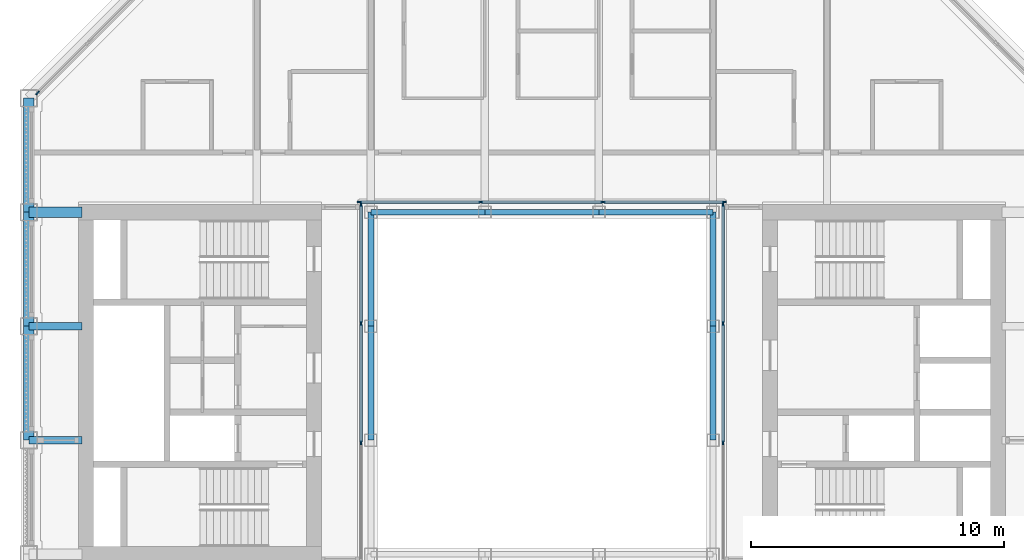
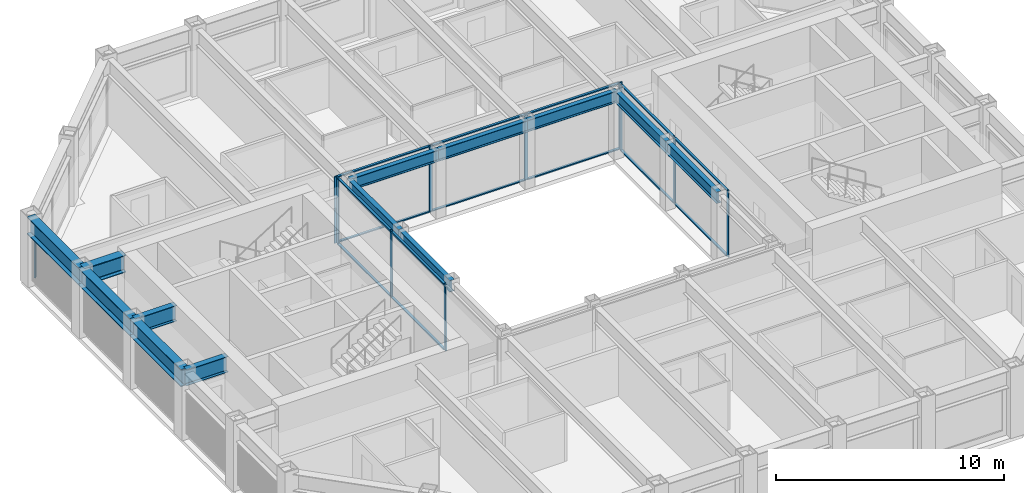
# One storey, part 4 of 17: 25 members, 13 beams, 4 elements without a shape of their own.
"""IFC4 building model written with IfcOpenShell, lengths in metres."""

from ifc_helpers import new_model, si_unit, direction, frame, origin, origin_2d, place, context, subcontext, project, spatial, rectangle, i_section, extrude, material, material_profile, profile_set, type_object, element, aggregate, save


model = new_model("IFC4")

# Units and contexts
model_context = context("Model", 3, precision=1e-05, world=origin(), true_north=direction((0.0, 1.0)))
body_context = subcontext(model_context, "Body", "Model", "MODEL_VIEW")
ifc_project = project(units=[si_unit("LENGTHUNIT", "METRE"), si_unit("AREAUNIT", "SQUARE_METRE"), si_unit("VOLUMEUNIT", "CUBIC_METRE"), si_unit("PLANEANGLEUNIT", "RADIAN"), si_unit("MASSUNIT", "GRAM", prefix="KILO")], contexts=[model_context])

# Site, building, storey
site_placement = place(None, origin())
site = spatial("IfcSite", under=ifc_project, at=site_placement, CompositionType="ELEMENT")
building_placement = place(site_placement, origin())
building = spatial("IfcBuilding", under=site, at=building_placement, Name="Msasa Ring Tower", CompositionType="ELEMENT")
storey_placement = place(building_placement, frame((0.0, 0.0, 242.050048828125)))
storey = spatial("IfcBuildingStorey", under=building, at=storey_placement, Name="L63", CompositionType="ELEMENT", Elevation=242.050048828125)

# Curtain wall, member
ifc_material_1 = material(Name="Aluminium curtain wall with clear glass", Category="aluminium")
curtain_wall_type_1 = type_object("IfcCurtainWallType", Name="CW-C CHAMFER CORNER CURTAIN WALL", PredefinedType="NOTDEFINED", material=ifc_material_1)
curtain_wall_1_placement = place(storey_placement, origin())
curtain_wall_1 = element("IfcCurtainWall", 1, at=curtain_wall_1_placement, inside=storey, type_object=curtain_wall_type_1, Name="Chamfer corner curtain wall NW L63", PredefinedType="NOTDEFINED")
ifc_material_2 = material(Name="Aluminium mullion", Category="aluminium")
ifc_material_profile_1 = material_profile(ifc_material_2, rectangle(XDim=0.06494140625, YDim=0.179931640625, at=origin_2d()), Name="AL 65x180")
ifc_profile_set_1 = profile_set([ifc_material_profile_1], Name="Aluminium mullion")
member_type_1 = type_object("IfcMemberType", Name="CW-C MULLION 65x180", PredefinedType="MULLION", material=ifc_profile_set_1)
member_1_placement = place(storey_placement, frame((-19.9052734375, 11.453369140625, 0.0), z_axis=(0.0, 0.0, 1.0), x_axis=(0.707106781187, -0.707106781187, 0.0)))
member_1 = element("IfcMember", 2, at=member_1_placement, type_object=member_type_1, Name="CW-C mullion 3", PredefinedType="MULLION", context=body_context, shape_type="SweptSolid", body=[
    extrude(rectangle(XDim=0.06494140625, YDim=0.179931640625, at=origin_2d()), origin(), (0.0, 0.0, 1.0), 2.62890625),
])
aggregate(curtain_wall_1, [member_1])

# Curtain wall, members
ifc_material_3 = material(Name="Aluminium curtain wall with clear glass", Category="aluminium")
curtain_wall_type_2 = type_object("IfcCurtainWallType", Name="CW-W LIGHT WELL CURTAIN WALL", PredefinedType="NOTDEFINED", material=ifc_material_3)
curtain_wall_2_placement = place(storey_placement, origin())
curtain_wall_2 = element("IfcCurtainWall", 3, at=curtain_wall_2_placement, inside=storey, type_object=curtain_wall_type_2, Name="Light well curtain wall N L63", PredefinedType="NOTDEFINED")
ifc_material_4 = material(Name="Aluminium mullion", Category="aluminium")
ifc_material_profile_2 = material_profile(ifc_material_4, rectangle(XDim=0.06005859375, YDim=0.159912109375, at=origin_2d()), Name="AL 60x160")
ifc_profile_set_2 = profile_set([ifc_material_profile_2], Name="Aluminium mullion")
member_type_2 = type_object("IfcMemberType", Name="CW-W MULLION 60x160", PredefinedType="MULLION", material=ifc_profile_set_2)
member_2_placement = place(storey_placement, frame((-7.199951171875, 7.14990234375, 0.0), z_axis=(0.0, 0.0, 1.0), x_axis=(0.0, 1.0, 0.0)))
member_2 = element("IfcMember", 4, at=member_2_placement, type_object=member_type_2, Name="CW-W mullion 1", PredefinedType="MULLION", context=body_context, shape_type="SweptSolid", body=[
    extrude(rectangle(XDim=0.06005859375, YDim=0.159912109375, at=origin_2d()), origin(), (0.0, 0.0, 1.0), 3.550048828125),
])
member_3_placement = place(storey_placement, frame((-2.409912109375, 7.14990234375, 0.0), z_axis=(0.0, 0.0, 1.0), x_axis=(0.0, 1.0, 0.0)))
member_3 = element("IfcMember", 5, at=member_3_placement, type_object=member_type_2, Name="CW-W mullion 2", PredefinedType="MULLION", context=body_context, shape_type="SweptSolid", body=[
    extrude(rectangle(XDim=0.06005859375, YDim=0.159912109375, at=origin_2d()), origin(), (0.0, 0.0, 1.0), 3.550048828125),
])
member_4_placement = place(storey_placement, frame((2.409912109375, 7.14990234375, 0.0), z_axis=(0.0, 0.0, 1.0), x_axis=(0.0, 1.0, 0.0)))
member_4 = element("IfcMember", 6, at=member_4_placement, type_object=member_type_2, Name="CW-W mullion 3", PredefinedType="MULLION", context=body_context, shape_type="SweptSolid", body=[
    extrude(rectangle(XDim=0.06005859375, YDim=0.159912109375, at=origin_2d()), origin(), (0.0, 0.0, 1.0), 3.550048828125),
])
member_5_placement = place(storey_placement, frame((7.199951171875, 7.14990234375, 0.0), z_axis=(0.0, 0.0, 1.0), x_axis=(0.0, 1.0, 0.0)))
member_5 = element("IfcMember", 7, at=member_5_placement, type_object=member_type_2, Name="CW-W mullion 4", PredefinedType="MULLION", context=body_context, shape_type="SweptSolid", body=[
    extrude(rectangle(XDim=0.06005859375, YDim=0.159912109375, at=origin_2d()), origin(), (0.0, 0.0, 1.0), 3.550048828125),
])

curtain_wall_3_placement = place(storey_placement, origin())
curtain_wall_3 = element("IfcCurtainWall", 8, at=curtain_wall_3_placement, inside=storey, type_object=curtain_wall_type_2, Name="Light well curtain wall E L63", PredefinedType="NOTDEFINED")
member_6_placement = place(storey_placement, frame((7.14990234375, -2.356689453125, 0.0), z_axis=(0.0, 0.0, 1.0), x_axis=(-1.0, 0.0, 0.0)))
member_6 = element("IfcMember", 9, at=member_6_placement, type_object=member_type_2, Name="CW-W mullion 2", PredefinedType="MULLION", context=body_context, shape_type="SweptSolid", body=[
    extrude(rectangle(XDim=0.06005859375, YDim=0.159912109375, at=origin_2d()), origin(), (0.0, 0.0, 1.0), 3.550048828125),
])
member_7_placement = place(storey_placement, frame((7.14990234375, 2.356689453125, 0.0), z_axis=(0.0, 0.0, 1.0), x_axis=(-1.0, 0.0, 0.0)))
member_7 = element("IfcMember", 10, at=member_7_placement, type_object=member_type_2, Name="CW-W mullion 3", PredefinedType="MULLION", context=body_context, shape_type="SweptSolid", body=[
    extrude(rectangle(XDim=0.06005859375, YDim=0.159912109375, at=origin_2d()), origin(), (0.0, 0.0, 1.0), 3.550048828125),
])
member_8_placement = place(storey_placement, frame((7.14990234375, 7.0400390625, 0.0), z_axis=(0.0, 0.0, 1.0), x_axis=(-1.0, 0.0, 0.0)))
member_8 = element("IfcMember", 11, at=member_8_placement, type_object=member_type_2, Name="CW-W mullion 4", PredefinedType="MULLION", context=body_context, shape_type="SweptSolid", body=[
    extrude(rectangle(XDim=0.06005859375, YDim=0.159912109375, at=origin_2d()), origin(), (0.0, 0.0, 1.0), 3.550048828125),
])

curtain_wall_4_placement = place(storey_placement, origin())
curtain_wall_4 = element("IfcCurtainWall", 12, at=curtain_wall_4_placement, inside=storey, type_object=curtain_wall_type_2, Name="Light well curtain wall W L63", PredefinedType="NOTDEFINED")
member_9_placement = place(storey_placement, frame((-7.14990234375, -2.356689453125, 0.0), z_axis=(0.0, 0.0, 1.0), x_axis=(-1.0, 0.0, 0.0)))
member_9 = element("IfcMember", 13, at=member_9_placement, type_object=member_type_2, Name="CW-W mullion 2", PredefinedType="MULLION", context=body_context, shape_type="SweptSolid", body=[
    extrude(rectangle(XDim=0.06005859375, YDim=0.159912109375, at=origin_2d()), origin(), (0.0, 0.0, 1.0), 3.550048828125),
])
member_10_placement = place(storey_placement, frame((-7.14990234375, 2.356689453125, 0.0), z_axis=(0.0, 0.0, 1.0), x_axis=(-1.0, 0.0, 0.0)))
member_10 = element("IfcMember", 14, at=member_10_placement, type_object=member_type_2, Name="CW-W mullion 3", PredefinedType="MULLION", context=body_context, shape_type="SweptSolid", body=[
    extrude(rectangle(XDim=0.06005859375, YDim=0.159912109375, at=origin_2d()), origin(), (0.0, 0.0, 1.0), 3.550048828125),
])
member_11_placement = place(storey_placement, frame((-7.14990234375, 7.0400390625, 0.0), z_axis=(0.0, 0.0, 1.0), x_axis=(-1.0, 0.0, 0.0)))
member_11 = element("IfcMember", 15, at=member_11_placement, type_object=member_type_2, Name="CW-W mullion 4", PredefinedType="MULLION", context=body_context, shape_type="SweptSolid", body=[
    extrude(rectangle(XDim=0.06005859375, YDim=0.159912109375, at=origin_2d()), origin(), (0.0, 0.0, 1.0), 3.550048828125),
])

# Member
ifc_material_5 = material(Name="Aluminium transom", Category="aluminium")
ifc_material_profile_3 = material_profile(ifc_material_5, rectangle(XDim=0.1201171875, YDim=0.06005859375, at=origin_2d()), Name="AL 60x120")
ifc_profile_set_3 = profile_set([ifc_material_profile_3], Name="Aluminium transom")
member_type_3 = type_object("IfcMemberType", Name="CW-W TRANSOM 60x120", PredefinedType="USERDEFINED", material=ifc_profile_set_3)
member_12_placement = place(storey_placement, frame((-7.169921875, 7.14990234375, 0.030029296875), z_axis=(1.0, 0.0, 0.0), x_axis=(0.0, 1.0, 0.0)))
member_12 = element("IfcMember", 16, at=member_12_placement, type_object=member_type_3, Name="CW-W transom 1.1", ObjectType="TRANSOM", PredefinedType="USERDEFINED", context=body_context, shape_type="SweptSolid", body=[
    extrude(rectangle(XDim=0.1201171875, YDim=0.06005859375, at=origin_2d()), origin(), (0.0, 0.0, 1.0), 4.72998046875),
])

member_13_placement = place(storey_placement, frame((-7.169921875, 7.14990234375, 3.52001953125), z_axis=(1.0, 0.0, 0.0), x_axis=(0.0, 1.0, 0.0)))
member_13 = element("IfcMember", 17, at=member_13_placement, type_object=member_type_3, Name="CW-W transom 1.2", ObjectType="TRANSOM", PredefinedType="USERDEFINED", context=body_context, shape_type="SweptSolid", body=[
    extrude(rectangle(XDim=0.1201171875, YDim=0.06005859375, at=origin_2d()), origin(), (0.0, 0.0, 1.0), 4.72998046875),
])

member_14_placement = place(storey_placement, frame((-2.3798828125, 7.14990234375, 0.030029296875), z_axis=(1.0, 0.0, 0.0), x_axis=(0.0, 1.0, 0.0)))
member_14 = element("IfcMember", 18, at=member_14_placement, type_object=member_type_3, Name="CW-W transom 2.1", ObjectType="TRANSOM", PredefinedType="USERDEFINED", context=body_context, shape_type="SweptSolid", body=[
    extrude(rectangle(XDim=0.1201171875, YDim=0.06005859375, at=origin_2d()), origin(), (0.0, 0.0, 1.0), 4.759765625),
])

member_15_placement = place(storey_placement, frame((-2.3798828125, 7.14990234375, 3.52001953125), z_axis=(1.0, 0.0, 0.0), x_axis=(0.0, 1.0, 0.0)))
member_15 = element("IfcMember", 19, at=member_15_placement, type_object=member_type_3, Name="CW-W transom 2.2", ObjectType="TRANSOM", PredefinedType="USERDEFINED", context=body_context, shape_type="SweptSolid", body=[
    extrude(rectangle(XDim=0.1201171875, YDim=0.06005859375, at=origin_2d()), origin(), (0.0, 0.0, 1.0), 4.759765625),
])

member_16_placement = place(storey_placement, frame((2.43994140625, 7.14990234375, 0.030029296875), z_axis=(1.0, 0.0, 0.0), x_axis=(0.0, 1.0, 0.0)))
member_16 = element("IfcMember", 20, at=member_16_placement, type_object=member_type_3, Name="CW-W transom 3.1", ObjectType="TRANSOM", PredefinedType="USERDEFINED", context=body_context, shape_type="SweptSolid", body=[
    extrude(rectangle(XDim=0.1201171875, YDim=0.06005859375, at=origin_2d()), origin(), (0.0, 0.0, 1.0), 4.72998046875),
])

member_17_placement = place(storey_placement, frame((2.43994140625, 7.14990234375, 3.52001953125), z_axis=(1.0, 0.0, 0.0), x_axis=(0.0, 1.0, 0.0)))
member_17 = element("IfcMember", 21, at=member_17_placement, type_object=member_type_3, Name="CW-W transom 3.2", ObjectType="TRANSOM", PredefinedType="USERDEFINED", context=body_context, shape_type="SweptSolid", body=[
    extrude(rectangle(XDim=0.1201171875, YDim=0.06005859375, at=origin_2d()), origin(), (0.0, 0.0, 1.0), 4.72998046875),
])

aggregate(curtain_wall_2, [member_2, member_3, member_4, member_5, member_12, member_13, member_14, member_15, member_16, member_17])

member_18_placement = place(storey_placement, frame((7.14990234375, -2.32666015625, 0.030029296875), z_axis=(0.0, 1.0, 0.0), x_axis=(-1.0, 0.0, 0.0)))
member_18 = element("IfcMember", 22, at=member_18_placement, type_object=member_type_3, Name="CW-W transom 2.1", ObjectType="TRANSOM", PredefinedType="USERDEFINED", context=body_context, shape_type="SweptSolid", body=[
    extrude(rectangle(XDim=0.1201171875, YDim=0.06005859375, at=origin_2d()), origin(), (0.0, 0.0, 1.0), 4.6533203125),
])

member_19_placement = place(storey_placement, frame((7.14990234375, -2.32666015625, 3.52001953125), z_axis=(0.0, 1.0, 0.0), x_axis=(-1.0, 0.0, 0.0)))
member_19 = element("IfcMember", 23, at=member_19_placement, type_object=member_type_3, Name="CW-W transom 2.2", ObjectType="TRANSOM", PredefinedType="USERDEFINED", context=body_context, shape_type="SweptSolid", body=[
    extrude(rectangle(XDim=0.1201171875, YDim=0.06005859375, at=origin_2d()), origin(), (0.0, 0.0, 1.0), 4.6533203125),
])

member_20_placement = place(storey_placement, frame((7.14990234375, 2.38671875, 0.030029296875), z_axis=(0.0, 1.0, 0.0), x_axis=(-1.0, 0.0, 0.0)))
member_20 = element("IfcMember", 24, at=member_20_placement, type_object=member_type_3, Name="CW-W transom 3.1", ObjectType="TRANSOM", PredefinedType="USERDEFINED", context=body_context, shape_type="SweptSolid", body=[
    extrude(rectangle(XDim=0.1201171875, YDim=0.06005859375, at=origin_2d()), origin(), (0.0, 0.0, 1.0), 4.623291015625),
])

member_21_placement = place(storey_placement, frame((7.14990234375, 2.38671875, 3.52001953125), z_axis=(0.0, 1.0, 0.0), x_axis=(-1.0, 0.0, 0.0)))
member_21 = element("IfcMember", 25, at=member_21_placement, type_object=member_type_3, Name="CW-W transom 3.2", ObjectType="TRANSOM", PredefinedType="USERDEFINED", context=body_context, shape_type="SweptSolid", body=[
    extrude(rectangle(XDim=0.1201171875, YDim=0.06005859375, at=origin_2d()), origin(), (0.0, 0.0, 1.0), 4.623291015625),
])

aggregate(curtain_wall_3, [member_6, member_7, member_8, member_18, member_19, member_20, member_21])

member_22_placement = place(storey_placement, frame((-7.14990234375, -2.32666015625, 0.030029296875), z_axis=(0.0, 1.0, 0.0), x_axis=(-1.0, 0.0, 0.0)))
member_22 = element("IfcMember", 26, at=member_22_placement, type_object=member_type_3, Name="CW-W transom 2.1", ObjectType="TRANSOM", PredefinedType="USERDEFINED", context=body_context, shape_type="SweptSolid", body=[
    extrude(rectangle(XDim=0.1201171875, YDim=0.06005859375, at=origin_2d()), origin(), (0.0, 0.0, 1.0), 4.6533203125),
])

member_23_placement = place(storey_placement, frame((-7.14990234375, -2.32666015625, 3.52001953125), z_axis=(0.0, 1.0, 0.0), x_axis=(-1.0, 0.0, 0.0)))
member_23 = element("IfcMember", 27, at=member_23_placement, type_object=member_type_3, Name="CW-W transom 2.2", ObjectType="TRANSOM", PredefinedType="USERDEFINED", context=body_context, shape_type="SweptSolid", body=[
    extrude(rectangle(XDim=0.1201171875, YDim=0.06005859375, at=origin_2d()), origin(), (0.0, 0.0, 1.0), 4.6533203125),
])

member_24_placement = place(storey_placement, frame((-7.14990234375, 2.38671875, 0.030029296875), z_axis=(0.0, 1.0, 0.0), x_axis=(-1.0, 0.0, 0.0)))
member_24 = element("IfcMember", 28, at=member_24_placement, type_object=member_type_3, Name="CW-W transom 3.1", ObjectType="TRANSOM", PredefinedType="USERDEFINED", context=body_context, shape_type="SweptSolid", body=[
    extrude(rectangle(XDim=0.1201171875, YDim=0.06005859375, at=origin_2d()), origin(), (0.0, 0.0, 1.0), 4.623291015625),
])

member_25_placement = place(storey_placement, frame((-7.14990234375, 2.38671875, 3.52001953125), z_axis=(0.0, 1.0, 0.0), x_axis=(-1.0, 0.0, 0.0)))
member_25 = element("IfcMember", 29, at=member_25_placement, type_object=member_type_3, Name="CW-W transom 3.2", ObjectType="TRANSOM", PredefinedType="USERDEFINED", context=body_context, shape_type="SweptSolid", body=[
    extrude(rectangle(XDim=0.1201171875, YDim=0.06005859375, at=origin_2d()), origin(), (0.0, 0.0, 1.0), 4.623291015625),
])

aggregate(curtain_wall_4, [member_9, member_10, member_11, member_22, member_23, member_24, member_25])

# Beams
ifc_material_6 = material(Name="Steel S355", Category="steel")
ifc_material_profile_4 = material_profile(ifc_material_6, i_section(OverallWidth=0.293701171875, OverallDepth=0.850830078125, WebThickness=0.01611328125, FlangeThickness=0.02685546875, FilletRadius=0.017822265625, at=origin_2d()), Name="UB 838x292x226")
ifc_profile_set_4 = profile_set([ifc_material_profile_4], Name="Steel S355")
beam_type_1 = type_object("IfcBeamType", Name="FB5 UB 838x292x226", PredefinedType="BEAM", material=ifc_profile_set_4)
for number, where, z_axis, x_axis, name in (
    (30, (-20.25, -2.25, 3.12451171875), (1.0, 0.0, 0.0), (0.0, 1.0, 0.0), "Floor beam W -2.25 under L64"),
    (31, (-20.25, 2.25, 3.12451171875), (1.0, 0.0, 0.0), (0.0, 1.0, 0.0), "Floor beam W +2.25 under L64"),
):
    element("IfcBeam", number, at=place(storey_placement, frame(where, z_axis=z_axis, x_axis=x_axis)), inside=storey, type_object=beam_type_1, Name=name, PredefinedType="BEAM", context=body_context, shape_type="SweptSolid", body=[
        extrude(i_section(OverallWidth=0.293701171875, OverallDepth=0.850830078125, WebThickness=0.01611328125, FlangeThickness=0.02685546875, FilletRadius=0.017822265625, at=origin_2d()), origin(), (0.0, 0.0, 1.0), 2.10009765625),
    ])
ifc_material_7 = material(Name="Steel S355", Category="steel")
ifc_material_profile_5 = material_profile(ifc_material_7, i_section(OverallWidth=0.42041015625, OverallDepth=0.9208984375, WebThickness=0.021484375, FlangeThickness=0.03662109375, FilletRadius=0.024169921875, at=origin_2d()), Name="UB 914x419x388")
ifc_profile_set_5 = profile_set([ifc_material_profile_5], Name="Steel S355")
beam_type_2 = type_object("IfcBeamType", Name="GB1 UB 914x419x388", PredefinedType="BEAM", material=ifc_profile_set_5)
beam_placement = place(storey_placement, frame((-18.14990234375, 6.75, 3.08935546875), z_axis=(-1.0, 0.0, 0.0), x_axis=(0.0, -1.0, 0.0)))
element("IfcBeam", 32, at=beam_placement, inside=storey, type_object=beam_type_2, Name="Girder W +6.75 under L64", PredefinedType="BEAM", context=body_context, shape_type="SweptSolid", body=[
    extrude(i_section(OverallWidth=0.42041015625, OverallDepth=0.9208984375, WebThickness=0.021484375, FlangeThickness=0.03662109375, FilletRadius=0.024169921875, at=origin_2d()), origin(), (0.0, 0.0, 1.0), 2.10009765625),
])
ifc_material_8 = material(Name="Steel S355", Category="steel")
ifc_material_profile_6 = material_profile(ifc_material_8, i_section(OverallWidth=0.230224609375, OverallDepth=0.6171875, WebThickness=0.01318359375, FlangeThickness=0.022216796875, FilletRadius=0.0126953125, at=origin_2d()), Name="UB 610x229x140")
ifc_profile_set_6 = profile_set([ifc_material_profile_6], Name="Steel S355")
beam_type_3 = type_object("IfcBeamType", Name="RB1 UB 610x229x140", PredefinedType="BEAM", material=ifc_profile_set_6)
for number, where, z_axis, x_axis, name in (
    (33, (6.75, -2.25, 3.241455078125), (0.0, 1.0, 0.0), (-1.0, 0.0, 0.0), "Inner ring beam IR+6.75-2.25 under L64"),
    (34, (6.75, 2.25, 3.241455078125), (0.0, 1.0, 0.0), (-1.0, 0.0, 0.0), "Inner ring beam IR+6.75+2.25 under L64"),
    (35, (6.75, 6.75, 3.241455078125), (-1.0, 0.0, 0.0), (0.0, -1.0, 0.0), "Inner ring beam IR+6.75+6.75 under L64"),
    (36, (2.25, 6.75, 3.241455078125), (-1.0, 0.0, 0.0), (0.0, -1.0, 0.0), "Inner ring beam IR+2.25+6.75 under L64"),
    (37, (-2.25, 6.75, 3.241455078125), (-1.0, 0.0, 0.0), (0.0, -1.0, 0.0), "Inner ring beam IR-2.25+6.75 under L64"),
    (38, (-6.75, 6.75, 3.241455078125), (0.0, -1.0, 0.0), (1.0, 0.0, 0.0), "Inner ring beam IR-6.75+6.75 under L64"),
    (39, (-6.75, 2.25, 3.241455078125), (0.0, -1.0, 0.0), (1.0, 0.0, 0.0), "Inner ring beam IR-6.75+2.25 under L64"),
):
    element("IfcBeam", number, at=place(storey_placement, frame(where, z_axis=z_axis, x_axis=x_axis)), inside=storey, type_object=beam_type_3, Name=name, PredefinedType="BEAM", context=body_context, shape_type="SweptSolid", body=[
        extrude(i_section(OverallWidth=0.230224609375, OverallDepth=0.6171875, WebThickness=0.01318359375, FlangeThickness=0.022216796875, FilletRadius=0.0126953125, at=origin_2d()), origin(), (0.0, 0.0, 1.0), 4.5),
    ])
ifc_material_9 = material(Name="Steel S355", Category="steel")
ifc_material_profile_7 = material_profile(ifc_material_9, i_section(OverallWidth=0.42041015625, OverallDepth=0.9208984375, WebThickness=0.021484375, FlangeThickness=0.03662109375, FilletRadius=0.024169921875, at=origin_2d()), Name="UB 914x419x388")
ifc_profile_set_7 = profile_set([ifc_material_profile_7], Name="Steel S355")
beam_type_4 = type_object("IfcBeamType", Name="SB1 UB 914x419x388", PredefinedType="SPANDREL", material=ifc_profile_set_7)
for number, where, z_axis, x_axis, name in (
    (40, (-20.25, 11.25, 3.08935546875), (0.0, -1.0, 0.0), (1.0, 0.0, 0.0), "Spandrel W+11.25 to W+6.75 under L64"),
    (41, (-20.25, 6.75, 3.08935546875), (0.0, -1.0, 0.0), (1.0, 0.0, 0.0), "Spandrel W+6.75 to W+2.25 under L64"),
    (42, (-20.25, 2.25, 3.08935546875), (0.0, -1.0, 0.0), (1.0, 0.0, 0.0), "Spandrel W+2.25 to W-2.25 under L64"),
):
    element("IfcBeam", number, at=place(storey_placement, frame(where, z_axis=z_axis, x_axis=x_axis)), inside=storey, type_object=beam_type_4, Name=name, PredefinedType="SPANDREL", context=body_context, shape_type="SweptSolid", body=[
        extrude(i_section(OverallWidth=0.42041015625, OverallDepth=0.9208984375, WebThickness=0.021484375, FlangeThickness=0.03662109375, FilletRadius=0.024169921875, at=origin_2d()), origin(), (0.0, 0.0, 1.0), 4.5),
    ])

save(model, "model.ifc")
